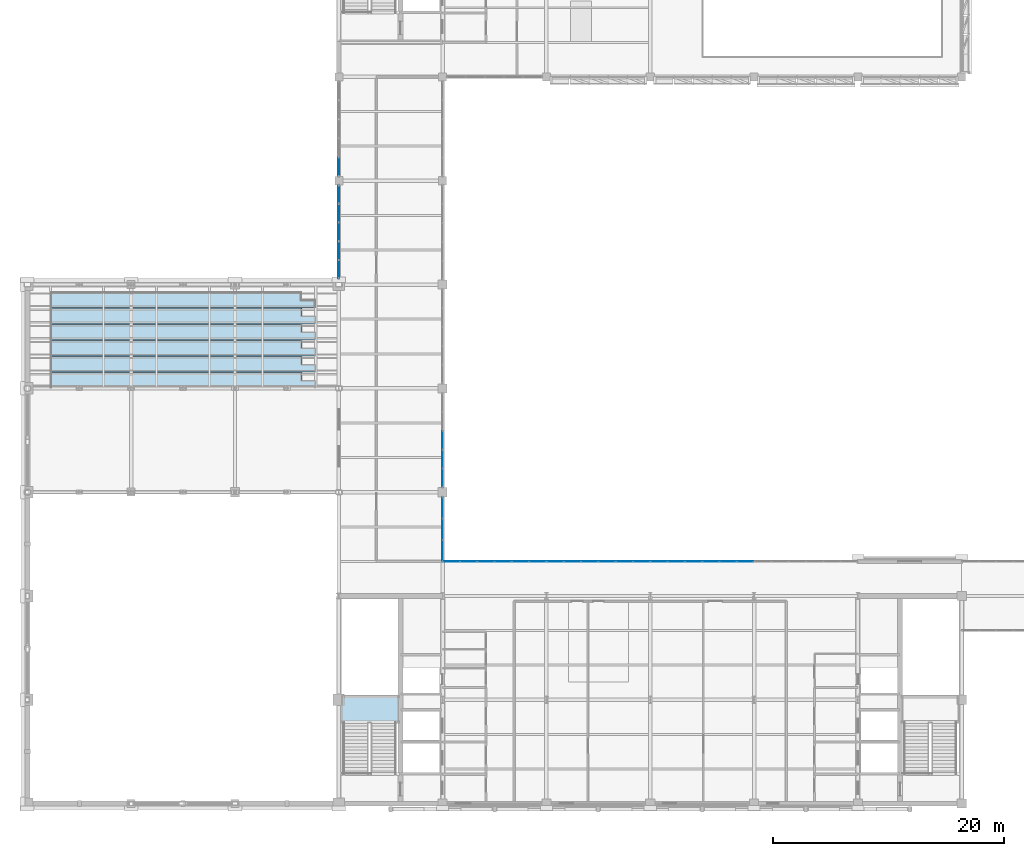
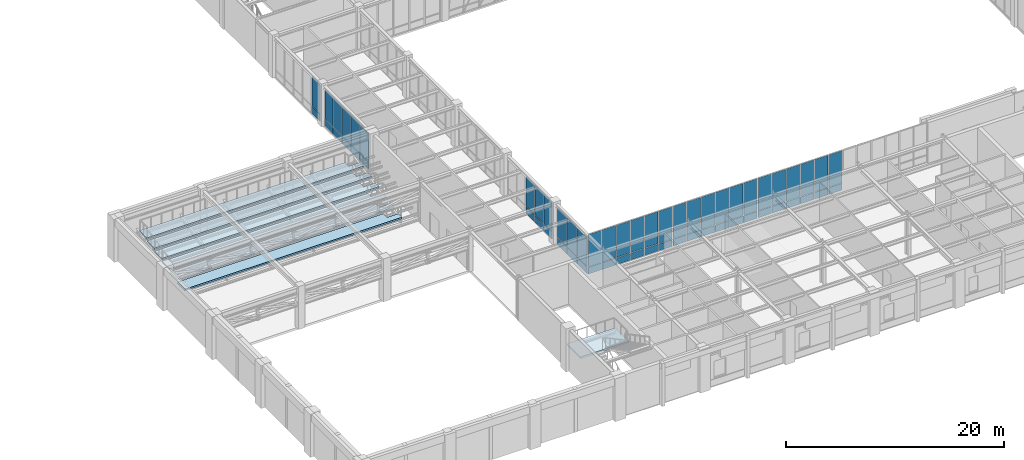
# One storey, part 68 of 92: 60 plates, 7 slabs, 8 elements without a shape of their own.
"""IFC4 building model written with IfcOpenShell, lengths in metres."""

import ifcopenshell
import ifcopenshell.guid

model = None  # the IFC model being written
_history = None  # IfcOwnerHistory: only IFC2X3 demands one
_inside = {}  # id of a spatial element -> (the spatial element, [elements in it])
_under = {}  # id of a project, library or spatial element -> (it, [spatial elements below it])
_declared = {}  # id of a project -> (the project, [libraries it declares])
_typed = {}  # id of a type object -> (the type object, [elements of that type])
_made_of = {}  # id of a material, layer set ... -> (it, [elements and type objects made of it])


def new_model(schema):
    """Start an empty IFC model of exactly this schema.

    Asked for "IFC4X3", IfcOpenShell would pick the latest addendum, in which some entities
    have other attributes; the version numbers below select the first issue.
    IFC2X3 requires an IfcOwnerHistory on every rooted entity: one is made here for all.
    """
    global model, _history
    if schema == "IFC4X3":
        model = ifcopenshell.file(schema_version=(4, 3, 0, 0))
    else:
        model = ifcopenshell.file(schema=schema)
    _inside.clear()
    _under.clear()
    _declared.clear()
    _typed.clear()
    _made_of.clear()
    _history = None
    if model.schema == "IFC2X3":
        org = make("IfcOrganization", Name="unknown")
        user = make(
            "IfcPersonAndOrganization",
            ThePerson=make("IfcPerson", FamilyName="unknown"),
            TheOrganization=org,
        )
        app = make(
            "IfcApplication",
            ApplicationDeveloper=org,
            Version="unknown",
            ApplicationFullName="unknown",
            ApplicationIdentifier="unknown",
        )
        _history = make(
            "IfcOwnerHistory",
            OwningUser=user,
            OwningApplication=app,
            ChangeAction="ADDED",
            CreationDate=0,
        )
    return model


def make(cls, **values):
    """One entity of the class cls with the attributes given. An attribute that is None is left unset."""
    return model.create_entity(
        cls, **{name: value for name, value in values.items() if value is not None}
    )


def rooted(cls, **values):
    """An entity with a GlobalId (a new one), such as an element, a storey or a relation."""
    return make(cls, GlobalId=ifcopenshell.guid.new(), OwnerHistory=_history, **values)


def si_unit(unit_type, name, prefix=None):
    """IfcSIUnit, for example si_unit("LENGTHUNIT", "METRE", prefix="MILLI")."""
    return make("IfcSIUnit", UnitType=unit_type, Prefix=prefix, Name=name)


def assignment(units):
    """IfcUnitAssignment: the units of a project."""
    return None if units is None else make("IfcUnitAssignment", Units=units)


def point(xyz):
    """IfcCartesianPoint."""
    return None if xyz is None else make("IfcCartesianPoint", Coordinates=xyz)


def direction(xyz):
    """IfcDirection."""
    return None if xyz is None else make("IfcDirection", DirectionRatios=xyz)


def frame(location, z_axis=None, x_axis=None):
    """IfcAxis2Placement3D, a coordinate frame: its origin and axes. An axis left out is left unset."""
    return make(
        "IfcAxis2Placement3D",
        Location=point(location),
        Axis=direction(z_axis),
        RefDirection=direction(x_axis),
    )


def frame_2d(location, x_axis=None):
    """IfcAxis2Placement2D, a coordinate frame in the plane: its origin and x axis."""
    return make(
        "IfcAxis2Placement2D", Location=point(location), RefDirection=direction(x_axis)
    )


def origin():
    """The frame at (0, 0, 0) with its axes left unset."""
    return frame((0.0, 0.0, 0.0))


def origin_2d():
    """The frame at (0, 0) in the plane with its x axis left unset."""
    return frame_2d((0.0, 0.0))


def place(relative_to, where):
    """IfcLocalPlacement: puts the frame where relative to a parent placement (None: the world)."""
    return make(
        "IfcLocalPlacement", PlacementRelTo=relative_to, RelativePlacement=where
    )


def context(
    kind, dimensions, precision=None, world=None, true_north=None, identifier=None
):
    """IfcGeometricRepresentationContext, for example the 3D "Model" context."""
    return make(
        "IfcGeometricRepresentationContext",
        ContextIdentifier=identifier,
        ContextType=kind,
        CoordinateSpaceDimension=dimensions,
        Precision=precision,
        WorldCoordinateSystem=world,
        TrueNorth=true_north,
    )


def subcontext(parent, identifier, kind, view, scale=None):
    """IfcGeometricRepresentationSubContext, for example "Body" below "Model"."""
    return make(
        "IfcGeometricRepresentationSubContext",
        ContextIdentifier=identifier,
        ContextType=kind,
        ParentContext=parent,
        TargetScale=scale,
        TargetView=view,
    )


def project(units=None, contexts=None):
    """IfcProject with its units and contexts."""
    return rooted(
        "IfcProject",
        Name="project",
        RepresentationContexts=contexts,
        UnitsInContext=assignment(units),
    )


def spatial(cls, under=None, at=None, **own):
    """A site, building, storey or space (cls), placed at a placement, below another one or the project."""
    s = rooted(cls, ObjectPlacement=at, **own)
    if under is not None:
        _under.setdefault(under.id(), (under, []))[1].append(s)
    return s


def polyline(points):
    """IfcPolyline through the points."""
    return make("IfcPolyline", Points=[point(p) for p in points])


def profile(cls, at=None, kind="AREA", **sizes):
    """A parametric profile (cls). Its sizes go by their IFC names, for example OverallWidth=200.0."""
    return make(cls, ProfileType=kind, Position=at, **sizes)


def rectangle(**sizes):
    """IfcRectangleProfileDef."""
    return profile("IfcRectangleProfileDef", **sizes)


def outline(outer, holes=None, kind="AREA"):
    """IfcArbitraryClosedProfileDef: a profile drawn as a closed curve; with holes, ...WithVoids."""
    if holes is None:
        return make("IfcArbitraryClosedProfileDef", ProfileType=kind, OuterCurve=outer)
    return make(
        "IfcArbitraryProfileDefWithVoids",
        ProfileType=kind,
        OuterCurve=outer,
        InnerCurves=holes,
    )


def extrude(swept, where, along, depth):
    """IfcExtrudedAreaSolid: the profile swept, set in the frame where, extruded along a direction by depth."""
    return make(
        "IfcExtrudedAreaSolid",
        SweptArea=swept,
        Position=where,
        ExtrudedDirection=direction(along),
        Depth=depth,
    )


def shape(context_of_items, identifier, shape_type, items):
    """IfcShapeRepresentation: the items that make up one representation, for example the "Body"."""
    return make(
        "IfcShapeRepresentation",
        ContextOfItems=context_of_items,
        RepresentationIdentifier=identifier,
        RepresentationType=shape_type,
        Items=items,
    )


def material(Name=None, Category=None):
    """IfcMaterial."""
    return make("IfcMaterial", Name=Name, Category=Category)


def layer(
    of_material, thickness, ventilated=None, Name=None, Category=None, Priority=None
):
    """IfcMaterialLayer: one layer of a wall or slab, of a material (None: an air gap)."""
    return make(
        "IfcMaterialLayer",
        Material=of_material,
        LayerThickness=thickness,
        IsVentilated=ventilated,
        Name=Name,
        Category=Category,
        Priority=Priority,
    )


def layer_set(layers, Name=None):
    """IfcMaterialLayerSet."""
    return make("IfcMaterialLayerSet", MaterialLayers=layers, LayerSetName=Name)


def made_of(thing, what):
    """Note that an element or type object is made of a material, layer set ...; save() writes the relation."""
    if what is not None:
        _made_of.setdefault(what.id(), (what, []))[1].append(thing)
    return thing


def type_object(cls, material=None, **own):
    """A type object (cls), such as IfcWallType, which elements share."""
    return made_of(rooted(cls, **own), material)


def element(
    cls,
    number,
    at=None,
    inside=None,
    cuts=None,
    type_object=None,
    material=None,
    context=None,
    identifier="Body",
    shape_type=None,
    held_by="IfcProductDefinitionShape",
    body=None,
    shapes=None,
    **own,
):
    """One element of the class cls, such as IfcWall. Its Tag is "e" and its number.

    at: its placement. inside: the storey or other place that contains it. cuts: it is an
    opening in that element (IfcRelVoidsElement). A single representation is given by context,
    identifier, shape_type and body (its items); several are given by shapes. held_by: the class
    of the entity that holds the representations. save() writes the other relations.
    """
    e = rooted(cls, Tag="e%d" % number, ObjectPlacement=at, **own)
    if body is not None:
        shapes = [shape(context, identifier, shape_type, body)]
    if shapes is not None:
        e.Representation = make(held_by, Representations=shapes)
    if inside is not None:
        _inside.setdefault(inside.id(), (inside, []))[1].append(e)
    if cuts is not None:
        rooted(
            "IfcRelVoidsElement", RelatingBuildingElement=cuts, RelatedOpeningElement=e
        )
    if type_object is not None:
        _typed.setdefault(type_object.id(), (type_object, []))[1].append(e)
    return made_of(e, material)


def aggregate(whole, parts):
    """IfcRelAggregates: a whole, such as a stair, and the parts it consists of."""
    return rooted("IfcRelAggregates", RelatingObject=whole, RelatedObjects=parts)


def save(model, path):
    """Write the relations noted so far, then the file.

    IfcRelAggregates (storeys below a building ...), IfcRelContainedInSpatialStructure (elements
    in a storey), IfcRelDefinesByType, IfcRelAssociatesMaterial and IfcRelDeclares: one each for
    every whole, place, type object, material and project.
    """
    for whole, parts in _under.values():
        aggregate(whole, parts)
    for where, things in _inside.values():
        rooted(
            "IfcRelContainedInSpatialStructure",
            RelatedElements=things,
            RelatingStructure=where,
        )
    for kind, things in _typed.values():
        rooted("IfcRelDefinesByType", RelatedObjects=things, RelatingType=kind)
    for what, things in _made_of.values():
        rooted("IfcRelAssociatesMaterial", RelatedObjects=things, RelatingMaterial=what)
    for by, libraries in _declared.values():
        rooted("IfcRelDeclares", RelatingContext=by, RelatedDefinitions=libraries)
    model.write(path)


model = new_model("IFC4")

# Units and contexts
model_context = context("Model", 3, precision=1e-05, world=origin(), true_north=direction((0.0, 1.0)))
body_context = subcontext(model_context, "Body", "Model", "MODEL_VIEW")
ifc_project = project(units=[si_unit("LENGTHUNIT", "METRE"), si_unit("AREAUNIT", "SQUARE_METRE"), si_unit("VOLUMEUNIT", "CUBIC_METRE"), si_unit("PLANEANGLEUNIT", "RADIAN"), si_unit("MASSUNIT", "GRAM", prefix="KILO")], contexts=[model_context])

# Site, building, storey
site_placement = place(None, origin())
site = spatial("IfcSite", under=ifc_project, at=site_placement, CompositionType="ELEMENT")
building_placement = place(site_placement, origin())
building = spatial("IfcBuilding", under=site, at=building_placement, Name="Lykobir Media Centre", CompositionType="ELEMENT")
storey_placement = place(building_placement, frame((0.0, 0.0, 5.39990234375)))
storey = spatial("IfcBuildingStorey", under=building, at=storey_placement, Name="L01", CompositionType="ELEMENT", Elevation=5.39990234375)

# Curtain wall, plates
ifc_material_1 = material(Name="Anodized Aluminium AW-6060", Category="aluminium")
curtain_wall_type = type_object("IfcCurtainWallType", Name="CW-COURT-A", PredefinedType="NOTDEFINED", material=ifc_material_1)
curtain_wall_1_placement = place(storey_placement, origin())
curtain_wall_1 = element("IfcCurtainWall", 1, at=curtain_wall_1_placement, inside=storey, type_object=curtain_wall_type, Name="Curtain wall CW2-L01-0044", PredefinedType="NOTDEFINED")
ifc_material_2 = material(Name="Low-E Laminated Triple Glazing", Category="glass")
ifc_layer_1 = layer(ifc_material_2, 0.0380859375, Name="Low-E Laminated Triple Glazing")
ifc_layer_set_1 = layer_set([ifc_layer_1], Name="Low-E Laminated Triple Glazing")
plate_type_1 = type_object("IfcPlateType", Name="CWP-GLZ-38", PredefinedType="CURTAIN_PANEL", material=ifc_layer_set_1)
plate_1_placement = place(storey_placement, frame((36.76611328125, 21.0, 0.882568359375), z_axis=(0.0, 0.0, 1.0), x_axis=(1.0, 0.0, 0.0)))
plate_1 = element("IfcPlate", 2, at=plate_1_placement, type_object=plate_type_1, Name="CW2-L01-0044 panel 1.2", PredefinedType="CURTAIN_PANEL", context=body_context, shape_type="SweptSolid", body=[
    extrude(rectangle(XDim=1.402587890625, YDim=0.0380859375, at=origin_2d()), origin(), (0.0, 0.0, 1.0), 3.592529296875),
])
plate_2_placement = place(storey_placement, frame((38.25, 21.0, 0.882568359375), z_axis=(0.0, 0.0, 1.0), x_axis=(1.0, 0.0, 0.0)))
plate_2 = element("IfcPlate", 3, at=plate_2_placement, type_object=plate_type_1, Name="CW2-L01-0044 panel 2.2", PredefinedType="CURTAIN_PANEL", context=body_context, shape_type="SweptSolid", body=[
    extrude(rectangle(XDim=1.43505859375, YDim=0.0380859375, at=origin_2d()), origin(), (0.0, 0.0, 1.0), 3.592529296875),
])
plate_3_placement = place(storey_placement, frame((39.75, 21.0, 0.882568359375), z_axis=(0.0, 0.0, 1.0), x_axis=(1.0, 0.0, 0.0)))
plate_3 = element("IfcPlate", 4, at=plate_3_placement, type_object=plate_type_1, Name="CW2-L01-0044 panel 3.2", PredefinedType="CURTAIN_PANEL", context=body_context, shape_type="SweptSolid", body=[
    extrude(rectangle(XDim=1.43505859375, YDim=0.0380859375, at=origin_2d()), origin(), (0.0, 0.0, 1.0), 3.592529296875),
])
plate_4_placement = place(storey_placement, frame((41.25, 21.0, 0.882568359375), z_axis=(0.0, 0.0, 1.0), x_axis=(1.0, 0.0, 0.0)))
plate_4 = element("IfcPlate", 5, at=plate_4_placement, type_object=plate_type_1, Name="CW2-L01-0044 panel 4.2", PredefinedType="CURTAIN_PANEL", context=body_context, shape_type="SweptSolid", body=[
    extrude(rectangle(XDim=1.43505859375, YDim=0.0380859375, at=origin_2d()), origin(), (0.0, 0.0, 1.0), 3.592529296875),
])
plate_5_placement = place(storey_placement, frame((42.75, 21.0, 0.882568359375), z_axis=(0.0, 0.0, 1.0), x_axis=(1.0, 0.0, 0.0)))
plate_5 = element("IfcPlate", 6, at=plate_5_placement, type_object=plate_type_1, Name="CW2-L01-0044 panel 5.2", PredefinedType="CURTAIN_PANEL", context=body_context, shape_type="SweptSolid", body=[
    extrude(rectangle(XDim=1.43505859375, YDim=0.0380859375, at=origin_2d()), origin(), (0.0, 0.0, 1.0), 3.592529296875),
])
plate_6_placement = place(storey_placement, frame((44.23388671875, 21.0, 0.882568359375), z_axis=(0.0, 0.0, 1.0), x_axis=(1.0, 0.0, 0.0)))
plate_6 = element("IfcPlate", 7, at=plate_6_placement, type_object=plate_type_1, Name="CW2-L01-0044 panel 6.2", PredefinedType="CURTAIN_PANEL", context=body_context, shape_type="SweptSolid", body=[
    extrude(rectangle(XDim=1.402587890625, YDim=0.0380859375, at=origin_2d()), origin(), (0.0, 0.0, 1.0), 3.592529296875),
])

curtain_wall_2_placement = place(storey_placement, origin())
curtain_wall_2 = element("IfcCurtainWall", 8, at=curtain_wall_2_placement, inside=storey, type_object=curtain_wall_type, Name="Curtain wall CW2-L01-0045", PredefinedType="NOTDEFINED")
plate_7_placement = place(storey_placement, frame((45.76611328125, 21.0, 0.882568359375), z_axis=(0.0, 0.0, 1.0), x_axis=(1.0, 0.0, 0.0)))
plate_7 = element("IfcPlate", 9, at=plate_7_placement, type_object=plate_type_1, Name="CW2-L01-0045 panel 1.2", PredefinedType="CURTAIN_PANEL", context=body_context, shape_type="SweptSolid", body=[
    extrude(rectangle(XDim=1.402587890625, YDim=0.0380859375, at=origin_2d()), origin(), (0.0, 0.0, 1.0), 3.592529296875),
])
plate_8_placement = place(storey_placement, frame((47.25, 21.0, 0.882568359375), z_axis=(0.0, 0.0, 1.0), x_axis=(1.0, 0.0, 0.0)))
plate_8 = element("IfcPlate", 10, at=plate_8_placement, type_object=plate_type_1, Name="CW2-L01-0045 panel 2.2", PredefinedType="CURTAIN_PANEL", context=body_context, shape_type="SweptSolid", body=[
    extrude(rectangle(XDim=1.43505859375, YDim=0.0380859375, at=origin_2d()), origin(), (0.0, 0.0, 1.0), 3.592529296875),
])
plate_9_placement = place(storey_placement, frame((48.75, 21.0, 0.882568359375), z_axis=(0.0, 0.0, 1.0), x_axis=(1.0, 0.0, 0.0)))
plate_9 = element("IfcPlate", 11, at=plate_9_placement, type_object=plate_type_1, Name="CW2-L01-0045 panel 3.2", PredefinedType="CURTAIN_PANEL", context=body_context, shape_type="SweptSolid", body=[
    extrude(rectangle(XDim=1.43505859375, YDim=0.0380859375, at=origin_2d()), origin(), (0.0, 0.0, 1.0), 3.592529296875),
])
plate_10_placement = place(storey_placement, frame((50.25, 21.0, 0.882568359375), z_axis=(0.0, 0.0, 1.0), x_axis=(1.0, 0.0, 0.0)))
plate_10 = element("IfcPlate", 12, at=plate_10_placement, type_object=plate_type_1, Name="CW2-L01-0045 panel 4.2", PredefinedType="CURTAIN_PANEL", context=body_context, shape_type="SweptSolid", body=[
    extrude(rectangle(XDim=1.43505859375, YDim=0.0380859375, at=origin_2d()), origin(), (0.0, 0.0, 1.0), 3.592529296875),
])
plate_11_placement = place(storey_placement, frame((51.75, 21.0, 0.882568359375), z_axis=(0.0, 0.0, 1.0), x_axis=(1.0, 0.0, 0.0)))
plate_11 = element("IfcPlate", 13, at=plate_11_placement, type_object=plate_type_1, Name="CW2-L01-0045 panel 5.2", PredefinedType="CURTAIN_PANEL", context=body_context, shape_type="SweptSolid", body=[
    extrude(rectangle(XDim=1.43505859375, YDim=0.0380859375, at=origin_2d()), origin(), (0.0, 0.0, 1.0), 3.592529296875),
])
plate_12_placement = place(storey_placement, frame((53.23388671875, 21.0, 0.882568359375), z_axis=(0.0, 0.0, 1.0), x_axis=(1.0, 0.0, 0.0)))
plate_12 = element("IfcPlate", 14, at=plate_12_placement, type_object=plate_type_1, Name="CW2-L01-0045 panel 6.2", PredefinedType="CURTAIN_PANEL", context=body_context, shape_type="SweptSolid", body=[
    extrude(rectangle(XDim=1.402587890625, YDim=0.0380859375, at=origin_2d()), origin(), (0.0, 0.0, 1.0), 3.592529296875),
])

curtain_wall_3_placement = place(storey_placement, origin())
curtain_wall_3 = element("IfcCurtainWall", 15, at=curtain_wall_3_placement, inside=storey, type_object=curtain_wall_type, Name="Curtain wall CW2-L01-0046", PredefinedType="NOTDEFINED")
plate_13_placement = place(storey_placement, frame((54.76611328125, 21.0, 0.882568359375), z_axis=(0.0, 0.0, 1.0), x_axis=(1.0, 0.0, 0.0)))
plate_13 = element("IfcPlate", 16, at=plate_13_placement, type_object=plate_type_1, Name="CW2-L01-0046 panel 1.2", PredefinedType="CURTAIN_PANEL", context=body_context, shape_type="SweptSolid", body=[
    extrude(rectangle(XDim=1.402587890625, YDim=0.0380859375, at=origin_2d()), origin(), (0.0, 0.0, 1.0), 3.592529296875),
])
plate_14_placement = place(storey_placement, frame((56.25, 21.0, 0.882568359375), z_axis=(0.0, 0.0, 1.0), x_axis=(1.0, 0.0, 0.0)))
plate_14 = element("IfcPlate", 17, at=plate_14_placement, type_object=plate_type_1, Name="CW2-L01-0046 panel 2.2", PredefinedType="CURTAIN_PANEL", context=body_context, shape_type="SweptSolid", body=[
    extrude(rectangle(XDim=1.43505859375, YDim=0.0380859375, at=origin_2d()), origin(), (0.0, 0.0, 1.0), 3.592529296875),
])
plate_15_placement = place(storey_placement, frame((57.75, 21.0, 0.882568359375), z_axis=(0.0, 0.0, 1.0), x_axis=(1.0, 0.0, 0.0)))
plate_15 = element("IfcPlate", 18, at=plate_15_placement, type_object=plate_type_1, Name="CW2-L01-0046 panel 3.2", PredefinedType="CURTAIN_PANEL", context=body_context, shape_type="SweptSolid", body=[
    extrude(rectangle(XDim=1.43505859375, YDim=0.0380859375, at=origin_2d()), origin(), (0.0, 0.0, 1.0), 3.592529296875),
])
plate_16_placement = place(storey_placement, frame((59.25, 21.0, 0.882568359375), z_axis=(0.0, 0.0, 1.0), x_axis=(1.0, 0.0, 0.0)))
plate_16 = element("IfcPlate", 19, at=plate_16_placement, type_object=plate_type_1, Name="CW2-L01-0046 panel 4.2", PredefinedType="CURTAIN_PANEL", context=body_context, shape_type="SweptSolid", body=[
    extrude(rectangle(XDim=1.43505859375, YDim=0.0380859375, at=origin_2d()), origin(), (0.0, 0.0, 1.0), 3.592529296875),
])
plate_17_placement = place(storey_placement, frame((60.75, 21.0, 0.882568359375), z_axis=(0.0, 0.0, 1.0), x_axis=(1.0, 0.0, 0.0)))
plate_17 = element("IfcPlate", 20, at=plate_17_placement, type_object=plate_type_1, Name="CW2-L01-0046 panel 5.2", PredefinedType="CURTAIN_PANEL", context=body_context, shape_type="SweptSolid", body=[
    extrude(rectangle(XDim=1.43505859375, YDim=0.0380859375, at=origin_2d()), origin(), (0.0, 0.0, 1.0), 3.592529296875),
])
plate_18_placement = place(storey_placement, frame((62.23388671875, 21.0, 0.882568359375), z_axis=(0.0, 0.0, 1.0), x_axis=(1.0, 0.0, 0.0)))
plate_18 = element("IfcPlate", 21, at=plate_18_placement, type_object=plate_type_1, Name="CW2-L01-0046 panel 6.2", PredefinedType="CURTAIN_PANEL", context=body_context, shape_type="SweptSolid", body=[
    extrude(rectangle(XDim=1.402587890625, YDim=0.0380859375, at=origin_2d()), origin(), (0.0, 0.0, 1.0), 3.592529296875),
])

curtain_wall_4_placement = place(storey_placement, origin())
curtain_wall_4 = element("IfcCurtainWall", 22, at=curtain_wall_4_placement, inside=storey, type_object=curtain_wall_type, Name="Curtain wall CW2-L01-0048", PredefinedType="NOTDEFINED")
plate_19_placement = place(storey_placement, frame((36.0, 25.646240234375, 0.882568359375), z_axis=(0.0, 0.0, 1.0), x_axis=(0.0, -1.0, 0.0)))
plate_19 = element("IfcPlate", 23, at=plate_19_placement, type_object=plate_type_1, Name="CW2-L01-0048 panel 1.2", PredefinedType="CURTAIN_PANEL", context=body_context, shape_type="SweptSolid", body=[
    extrude(rectangle(XDim=1.767578125, YDim=0.0380859375, at=origin_2d()), origin(), (0.0, 0.0, 1.0), 3.24755859375),
])
plate_20_placement = place(storey_placement, frame((36.0, 23.797607421875, 0.882568359375), z_axis=(0.0, 0.0, 1.0), x_axis=(0.0, -1.0, 0.0)))
plate_20 = element("IfcPlate", 24, at=plate_20_placement, type_object=plate_type_1, Name="CW2-L01-0048 panel 2.2", PredefinedType="CURTAIN_PANEL", context=body_context, shape_type="SweptSolid", body=[
    extrude(rectangle(XDim=1.800048828125, YDim=0.0380859375, at=origin_2d()), origin(), (0.0, 0.0, 1.0), 3.24755859375),
])
plate_21_placement = place(storey_placement, frame((36.0, 21.94873046875, 0.882568359375), z_axis=(0.0, 0.0, 1.0), x_axis=(0.0, -1.0, 0.0)))
plate_21 = element("IfcPlate", 25, at=plate_21_placement, type_object=plate_type_1, Name="CW2-L01-0048 panel 3.2", PredefinedType="CURTAIN_PANEL", context=body_context, shape_type="SweptSolid", body=[
    extrude(rectangle(XDim=1.767578125, YDim=0.0380859375, at=origin_2d()), origin(), (0.0, 0.0, 1.0), 3.24755859375),
])

curtain_wall_5_placement = place(storey_placement, origin())
curtain_wall_5 = element("IfcCurtainWall", 26, at=curtain_wall_5_placement, inside=storey, type_object=curtain_wall_type, Name="Curtain wall CW2-L01-0049", PredefinedType="NOTDEFINED")
plate_22_placement = place(storey_placement, frame((36.0, 31.5, 0.882568359375), z_axis=(0.0, 0.0, 1.0), x_axis=(0.0, -1.0, 0.0)))
plate_22 = element("IfcPlate", 27, at=plate_22_placement, type_object=plate_type_1, Name="CW2-L01-0049 panel 3.2", PredefinedType="CURTAIN_PANEL", context=body_context, shape_type="SweptSolid", body=[
    extrude(rectangle(XDim=1.572998046875, YDim=0.0380859375, at=origin_2d()), origin(), (0.0, 0.0, 1.0), 3.24755859375),
])
plate_23_placement = place(storey_placement, frame((36.0, 29.862060546875, 0.882568359375), z_axis=(0.0, 0.0, 1.0), x_axis=(0.0, -1.0, 0.0)))
plate_23 = element("IfcPlate", 28, at=plate_23_placement, type_object=plate_type_1, Name="CW2-L01-0049 panel 4.2", PredefinedType="CURTAIN_PANEL", context=body_context, shape_type="SweptSolid", body=[
    extrude(rectangle(XDim=1.572998046875, YDim=0.0380859375, at=origin_2d()), origin(), (0.0, 0.0, 1.0), 3.24755859375),
])
plate_24_placement = place(storey_placement, frame((36.0, 28.240234375, 0.882568359375), z_axis=(0.0, 0.0, 1.0), x_axis=(0.0, -1.0, 0.0)))
plate_24 = element("IfcPlate", 29, at=plate_24_placement, type_object=plate_type_1, Name="CW2-L01-0049 panel 5.2", PredefinedType="CURTAIN_PANEL", context=body_context, shape_type="SweptSolid", body=[
    extrude(rectangle(XDim=1.54052734375, YDim=0.0380859375, at=origin_2d()), origin(), (0.0, 0.0, 1.0), 3.24755859375),
])

curtain_wall_6_placement = place(storey_placement, origin())
curtain_wall_6 = element("IfcCurtainWall", 30, at=curtain_wall_6_placement, inside=storey, type_object=curtain_wall_type, Name="Curtain wall CW2-L01-0068", PredefinedType="NOTDEFINED")
plate_25_placement = place(storey_placement, frame((27.0, 46.335205078125, 0.882568359375), z_axis=(0.0, 0.0, 1.0), x_axis=(0.0, 1.0, 0.0)))
plate_25 = element("IfcPlate", 31, at=plate_25_placement, type_object=plate_type_1, Name="CW2-L01-0068 panel 1.2", PredefinedType="CURTAIN_PANEL", context=body_context, shape_type="SweptSolid", body=[
    extrude(rectangle(XDim=1.530517578125, YDim=0.0380859375, at=origin_2d()), origin(), (0.0, 0.0, 1.0), 3.235595703125),
])
plate_26_placement = place(storey_placement, frame((27.0, 47.947021484375, 0.882568359375), z_axis=(0.0, 0.0, 1.0), x_axis=(0.0, 1.0, 0.0)))
plate_26 = element("IfcPlate", 32, at=plate_26_placement, type_object=plate_type_1, Name="CW2-L01-0068 panel 2.2", PredefinedType="CURTAIN_PANEL", context=body_context, shape_type="SweptSolid", body=[
    extrude(rectangle(XDim=1.56298828125, YDim=0.0380859375, at=origin_2d()), origin(), (0.0, 0.0, 1.0), 3.235595703125),
])
plate_27_placement = place(storey_placement, frame((27.0, 49.574951171875, 0.882568359375), z_axis=(0.0, 0.0, 1.0), x_axis=(0.0, 1.0, 0.0)))
plate_27 = element("IfcPlate", 33, at=plate_27_placement, type_object=plate_type_1, Name="CW2-L01-0068 panel 3.2", PredefinedType="CURTAIN_PANEL", context=body_context, shape_type="SweptSolid", body=[
    extrude(rectangle(XDim=1.56298828125, YDim=0.0380859375, at=origin_2d()), origin(), (0.0, 0.0, 1.0), 3.235595703125),
])
plate_28_placement = place(storey_placement, frame((27.0, 51.202880859375, 0.882568359375), z_axis=(0.0, 0.0, 1.0), x_axis=(0.0, 1.0, 0.0)))
plate_28 = element("IfcPlate", 34, at=plate_28_placement, type_object=plate_type_1, Name="CW2-L01-0068 panel 4.2", PredefinedType="CURTAIN_PANEL", context=body_context, shape_type="SweptSolid", body=[
    extrude(rectangle(XDim=1.56298828125, YDim=0.0380859375, at=origin_2d()), origin(), (0.0, 0.0, 1.0), 3.235595703125),
])
plate_29_placement = place(storey_placement, frame((27.0, 52.814697265625, 0.882568359375), z_axis=(0.0, 0.0, 1.0), x_axis=(0.0, 1.0, 0.0)))
plate_29 = element("IfcPlate", 35, at=plate_29_placement, type_object=plate_type_1, Name="CW2-L01-0068 panel 5.2", PredefinedType="CURTAIN_PANEL", context=body_context, shape_type="SweptSolid", body=[
    extrude(rectangle(XDim=1.530517578125, YDim=0.0380859375, at=origin_2d()), origin(), (0.0, 0.0, 1.0), 3.235595703125),
])

# Curtain wall, plate
curtain_wall_7_placement = place(storey_placement, origin())
curtain_wall_7 = element("IfcCurtainWall", 36, at=curtain_wall_7_placement, inside=storey, type_object=curtain_wall_type, Name="Curtain wall CW2-L01-0069", PredefinedType="NOTDEFINED")
plate_30_placement = place(storey_placement, frame((27.0, 55.2001953125, 0.882568359375), z_axis=(0.0, 0.0, 1.0), x_axis=(0.0, 1.0, 0.0)))
plate_30 = element("IfcPlate", 37, at=plate_30_placement, type_object=plate_type_1, Name="CW2-L01-0069 panel 1.2", PredefinedType="CURTAIN_PANEL", context=body_context, shape_type="SweptSolid", body=[
    extrude(rectangle(XDim=1.560546875, YDim=0.0380859375, at=origin_2d()), origin(), (0.0, 0.0, 1.0), 3.24755859375),
])

# Plate
ifc_material_3 = material(Name="Glazed Turquoise Terracotta", Category="masonry")
ifc_layer_2 = layer(ifc_material_3, 0.06005859375, Name="Glazed Turquoise Terracotta")
ifc_layer_set_2 = layer_set([ifc_layer_2], Name="Glazed Turquoise Terracotta")
plate_type_2 = type_object("IfcPlateType", Name="CWP-SPN-60", PredefinedType="CURTAIN_PANEL", material=ifc_layer_set_2)
plate_31_placement = place(storey_placement, frame((36.76611328125, 21.0, 0.065185546875), z_axis=(0.0, 0.0, 1.0), x_axis=(1.0, 0.0, 0.0)))
plate_31 = element("IfcPlate", 38, at=plate_31_placement, type_object=plate_type_2, Name="CW2-L01-0044 panel 1.1", PredefinedType="CURTAIN_PANEL", context=body_context, shape_type="SweptSolid", body=[
    extrude(rectangle(XDim=1.402587890625, YDim=0.06005859375, at=origin_2d()), origin(), (0.0, 0.0, 1.0), 0.75244140625),
])

plate_32_placement = place(storey_placement, frame((38.25, 21.0, 0.065185546875), z_axis=(0.0, 0.0, 1.0), x_axis=(1.0, 0.0, 0.0)))
plate_32 = element("IfcPlate", 39, at=plate_32_placement, type_object=plate_type_2, Name="CW2-L01-0044 panel 2.1", PredefinedType="CURTAIN_PANEL", context=body_context, shape_type="SweptSolid", body=[
    extrude(rectangle(XDim=1.43505859375, YDim=0.06005859375, at=origin_2d()), origin(), (0.0, 0.0, 1.0), 0.75244140625),
])

plate_33_placement = place(storey_placement, frame((39.75, 21.0, 0.065185546875), z_axis=(0.0, 0.0, 1.0), x_axis=(1.0, 0.0, 0.0)))
plate_33 = element("IfcPlate", 40, at=plate_33_placement, type_object=plate_type_2, Name="CW2-L01-0044 panel 3.1", PredefinedType="CURTAIN_PANEL", context=body_context, shape_type="SweptSolid", body=[
    extrude(rectangle(XDim=1.43505859375, YDim=0.06005859375, at=origin_2d()), origin(), (0.0, 0.0, 1.0), 0.75244140625),
])

plate_34_placement = place(storey_placement, frame((41.25, 21.0, 0.065185546875), z_axis=(0.0, 0.0, 1.0), x_axis=(1.0, 0.0, 0.0)))
plate_34 = element("IfcPlate", 41, at=plate_34_placement, type_object=plate_type_2, Name="CW2-L01-0044 panel 4.1", PredefinedType="CURTAIN_PANEL", context=body_context, shape_type="SweptSolid", body=[
    extrude(rectangle(XDim=1.43505859375, YDim=0.06005859375, at=origin_2d()), origin(), (0.0, 0.0, 1.0), 0.75244140625),
])

plate_35_placement = place(storey_placement, frame((42.75, 21.0, 0.065185546875), z_axis=(0.0, 0.0, 1.0), x_axis=(1.0, 0.0, 0.0)))
plate_35 = element("IfcPlate", 42, at=plate_35_placement, type_object=plate_type_2, Name="CW2-L01-0044 panel 5.1", PredefinedType="CURTAIN_PANEL", context=body_context, shape_type="SweptSolid", body=[
    extrude(rectangle(XDim=1.43505859375, YDim=0.06005859375, at=origin_2d()), origin(), (0.0, 0.0, 1.0), 0.75244140625),
])

plate_36_placement = place(storey_placement, frame((44.23388671875, 21.0, 0.065185546875), z_axis=(0.0, 0.0, 1.0), x_axis=(1.0, 0.0, 0.0)))
plate_36 = element("IfcPlate", 43, at=plate_36_placement, type_object=plate_type_2, Name="CW2-L01-0044 panel 6.1", PredefinedType="CURTAIN_PANEL", context=body_context, shape_type="SweptSolid", body=[
    extrude(rectangle(XDim=1.402587890625, YDim=0.06005859375, at=origin_2d()), origin(), (0.0, 0.0, 1.0), 0.75244140625),
])

aggregate(curtain_wall_1, [plate_31, plate_1, plate_32, plate_2, plate_33, plate_3, plate_34, plate_4, plate_35, plate_5, plate_36, plate_6])

plate_37_placement = place(storey_placement, frame((45.76611328125, 21.0, 0.065185546875), z_axis=(0.0, 0.0, 1.0), x_axis=(1.0, 0.0, 0.0)))
plate_37 = element("IfcPlate", 44, at=plate_37_placement, type_object=plate_type_2, Name="CW2-L01-0045 panel 1.1", PredefinedType="CURTAIN_PANEL", context=body_context, shape_type="SweptSolid", body=[
    extrude(rectangle(XDim=1.402587890625, YDim=0.06005859375, at=origin_2d()), origin(), (0.0, 0.0, 1.0), 0.75244140625),
])

plate_38_placement = place(storey_placement, frame((47.25, 21.0, 0.065185546875), z_axis=(0.0, 0.0, 1.0), x_axis=(1.0, 0.0, 0.0)))
plate_38 = element("IfcPlate", 45, at=plate_38_placement, type_object=plate_type_2, Name="CW2-L01-0045 panel 2.1", PredefinedType="CURTAIN_PANEL", context=body_context, shape_type="SweptSolid", body=[
    extrude(rectangle(XDim=1.43505859375, YDim=0.06005859375, at=origin_2d()), origin(), (0.0, 0.0, 1.0), 0.75244140625),
])

plate_39_placement = place(storey_placement, frame((48.75, 21.0, 0.065185546875), z_axis=(0.0, 0.0, 1.0), x_axis=(1.0, 0.0, 0.0)))
plate_39 = element("IfcPlate", 46, at=plate_39_placement, type_object=plate_type_2, Name="CW2-L01-0045 panel 3.1", PredefinedType="CURTAIN_PANEL", context=body_context, shape_type="SweptSolid", body=[
    extrude(rectangle(XDim=1.43505859375, YDim=0.06005859375, at=origin_2d()), origin(), (0.0, 0.0, 1.0), 0.75244140625),
])

plate_40_placement = place(storey_placement, frame((50.25, 21.0, 0.065185546875), z_axis=(0.0, 0.0, 1.0), x_axis=(1.0, 0.0, 0.0)))
plate_40 = element("IfcPlate", 47, at=plate_40_placement, type_object=plate_type_2, Name="CW2-L01-0045 panel 4.1", PredefinedType="CURTAIN_PANEL", context=body_context, shape_type="SweptSolid", body=[
    extrude(rectangle(XDim=1.43505859375, YDim=0.06005859375, at=origin_2d()), origin(), (0.0, 0.0, 1.0), 0.75244140625),
])

plate_41_placement = place(storey_placement, frame((51.75, 21.0, 0.065185546875), z_axis=(0.0, 0.0, 1.0), x_axis=(1.0, 0.0, 0.0)))
plate_41 = element("IfcPlate", 48, at=plate_41_placement, type_object=plate_type_2, Name="CW2-L01-0045 panel 5.1", PredefinedType="CURTAIN_PANEL", context=body_context, shape_type="SweptSolid", body=[
    extrude(rectangle(XDim=1.43505859375, YDim=0.06005859375, at=origin_2d()), origin(), (0.0, 0.0, 1.0), 0.75244140625),
])

plate_42_placement = place(storey_placement, frame((53.23388671875, 21.0, 0.065185546875), z_axis=(0.0, 0.0, 1.0), x_axis=(1.0, 0.0, 0.0)))
plate_42 = element("IfcPlate", 49, at=plate_42_placement, type_object=plate_type_2, Name="CW2-L01-0045 panel 6.1", PredefinedType="CURTAIN_PANEL", context=body_context, shape_type="SweptSolid", body=[
    extrude(rectangle(XDim=1.402587890625, YDim=0.06005859375, at=origin_2d()), origin(), (0.0, 0.0, 1.0), 0.75244140625),
])

aggregate(curtain_wall_2, [plate_37, plate_7, plate_38, plate_8, plate_39, plate_9, plate_40, plate_10, plate_41, plate_11, plate_42, plate_12])

plate_43_placement = place(storey_placement, frame((54.76611328125, 21.0, 0.065185546875), z_axis=(0.0, 0.0, 1.0), x_axis=(1.0, 0.0, 0.0)))
plate_43 = element("IfcPlate", 50, at=plate_43_placement, type_object=plate_type_2, Name="CW2-L01-0046 panel 1.1", PredefinedType="CURTAIN_PANEL", context=body_context, shape_type="SweptSolid", body=[
    extrude(rectangle(XDim=1.402587890625, YDim=0.06005859375, at=origin_2d()), origin(), (0.0, 0.0, 1.0), 0.75244140625),
])

plate_44_placement = place(storey_placement, frame((56.25, 21.0, 0.065185546875), z_axis=(0.0, 0.0, 1.0), x_axis=(1.0, 0.0, 0.0)))
plate_44 = element("IfcPlate", 51, at=plate_44_placement, type_object=plate_type_2, Name="CW2-L01-0046 panel 2.1", PredefinedType="CURTAIN_PANEL", context=body_context, shape_type="SweptSolid", body=[
    extrude(rectangle(XDim=1.43505859375, YDim=0.06005859375, at=origin_2d()), origin(), (0.0, 0.0, 1.0), 0.75244140625),
])

plate_45_placement = place(storey_placement, frame((57.75, 21.0, 0.065185546875), z_axis=(0.0, 0.0, 1.0), x_axis=(1.0, 0.0, 0.0)))
plate_45 = element("IfcPlate", 52, at=plate_45_placement, type_object=plate_type_2, Name="CW2-L01-0046 panel 3.1", PredefinedType="CURTAIN_PANEL", context=body_context, shape_type="SweptSolid", body=[
    extrude(rectangle(XDim=1.43505859375, YDim=0.06005859375, at=origin_2d()), origin(), (0.0, 0.0, 1.0), 0.75244140625),
])

plate_46_placement = place(storey_placement, frame((59.25, 21.0, 0.065185546875), z_axis=(0.0, 0.0, 1.0), x_axis=(1.0, 0.0, 0.0)))
plate_46 = element("IfcPlate", 53, at=plate_46_placement, type_object=plate_type_2, Name="CW2-L01-0046 panel 4.1", PredefinedType="CURTAIN_PANEL", context=body_context, shape_type="SweptSolid", body=[
    extrude(rectangle(XDim=1.43505859375, YDim=0.06005859375, at=origin_2d()), origin(), (0.0, 0.0, 1.0), 0.75244140625),
])

plate_47_placement = place(storey_placement, frame((60.75, 21.0, 0.065185546875), z_axis=(0.0, 0.0, 1.0), x_axis=(1.0, 0.0, 0.0)))
plate_47 = element("IfcPlate", 54, at=plate_47_placement, type_object=plate_type_2, Name="CW2-L01-0046 panel 5.1", PredefinedType="CURTAIN_PANEL", context=body_context, shape_type="SweptSolid", body=[
    extrude(rectangle(XDim=1.43505859375, YDim=0.06005859375, at=origin_2d()), origin(), (0.0, 0.0, 1.0), 0.75244140625),
])

plate_48_placement = place(storey_placement, frame((62.23388671875, 21.0, 0.065185546875), z_axis=(0.0, 0.0, 1.0), x_axis=(1.0, 0.0, 0.0)))
plate_48 = element("IfcPlate", 55, at=plate_48_placement, type_object=plate_type_2, Name="CW2-L01-0046 panel 6.1", PredefinedType="CURTAIN_PANEL", context=body_context, shape_type="SweptSolid", body=[
    extrude(rectangle(XDim=1.402587890625, YDim=0.06005859375, at=origin_2d()), origin(), (0.0, 0.0, 1.0), 0.75244140625),
])

aggregate(curtain_wall_3, [plate_43, plate_13, plate_44, plate_14, plate_45, plate_15, plate_46, plate_16, plate_47, plate_17, plate_48, plate_18])

plate_49_placement = place(storey_placement, frame((36.0, 25.646240234375, 0.065185546875), z_axis=(0.0, 0.0, 1.0), x_axis=(0.0, -1.0, 0.0)))
plate_49 = element("IfcPlate", 56, at=plate_49_placement, type_object=plate_type_2, Name="CW2-L01-0048 panel 1.1", PredefinedType="CURTAIN_PANEL", context=body_context, shape_type="SweptSolid", body=[
    extrude(rectangle(XDim=1.767578125, YDim=0.06005859375, at=origin_2d()), origin(), (0.0, 0.0, 1.0), 0.75244140625),
])

plate_50_placement = place(storey_placement, frame((36.0, 23.797607421875, 0.065185546875), z_axis=(0.0, 0.0, 1.0), x_axis=(0.0, -1.0, 0.0)))
plate_50 = element("IfcPlate", 57, at=plate_50_placement, type_object=plate_type_2, Name="CW2-L01-0048 panel 2.1", PredefinedType="CURTAIN_PANEL", context=body_context, shape_type="SweptSolid", body=[
    extrude(rectangle(XDim=1.800048828125, YDim=0.06005859375, at=origin_2d()), origin(), (0.0, 0.0, 1.0), 0.75244140625),
])

plate_51_placement = place(storey_placement, frame((36.0, 21.94873046875, 0.065185546875), z_axis=(0.0, 0.0, 1.0), x_axis=(0.0, -1.0, 0.0)))
plate_51 = element("IfcPlate", 58, at=plate_51_placement, type_object=plate_type_2, Name="CW2-L01-0048 panel 3.1", PredefinedType="CURTAIN_PANEL", context=body_context, shape_type="SweptSolid", body=[
    extrude(rectangle(XDim=1.767578125, YDim=0.06005859375, at=origin_2d()), origin(), (0.0, 0.0, 1.0), 0.75244140625),
])

aggregate(curtain_wall_4, [plate_49, plate_19, plate_50, plate_20, plate_51, plate_21])

plate_52_placement = place(storey_placement, frame((36.0, 31.5, 0.065185546875), z_axis=(0.0, 0.0, 1.0), x_axis=(0.0, -1.0, 0.0)))
plate_52 = element("IfcPlate", 59, at=plate_52_placement, type_object=plate_type_2, Name="CW2-L01-0049 panel 3.1", PredefinedType="CURTAIN_PANEL", context=body_context, shape_type="SweptSolid", body=[
    extrude(rectangle(XDim=1.572998046875, YDim=0.06005859375, at=origin_2d()), origin(), (0.0, 0.0, 1.0), 0.75244140625),
])

plate_53_placement = place(storey_placement, frame((36.0, 29.862060546875, 0.065185546875), z_axis=(0.0, 0.0, 1.0), x_axis=(0.0, -1.0, 0.0)))
plate_53 = element("IfcPlate", 60, at=plate_53_placement, type_object=plate_type_2, Name="CW2-L01-0049 panel 4.1", PredefinedType="CURTAIN_PANEL", context=body_context, shape_type="SweptSolid", body=[
    extrude(rectangle(XDim=1.572998046875, YDim=0.06005859375, at=origin_2d()), origin(), (0.0, 0.0, 1.0), 0.75244140625),
])

plate_54_placement = place(storey_placement, frame((36.0, 28.240234375, 0.065185546875), z_axis=(0.0, 0.0, 1.0), x_axis=(0.0, -1.0, 0.0)))
plate_54 = element("IfcPlate", 61, at=plate_54_placement, type_object=plate_type_2, Name="CW2-L01-0049 panel 5.1", PredefinedType="CURTAIN_PANEL", context=body_context, shape_type="SweptSolid", body=[
    extrude(rectangle(XDim=1.54052734375, YDim=0.06005859375, at=origin_2d()), origin(), (0.0, 0.0, 1.0), 0.75244140625),
])

aggregate(curtain_wall_5, [plate_52, plate_22, plate_53, plate_23, plate_54, plate_24])

plate_55_placement = place(storey_placement, frame((27.0, 46.335205078125, 0.065185546875), z_axis=(0.0, 0.0, 1.0), x_axis=(0.0, 1.0, 0.0)))
plate_55 = element("IfcPlate", 62, at=plate_55_placement, type_object=plate_type_2, Name="CW2-L01-0068 panel 1.1", PredefinedType="CURTAIN_PANEL", context=body_context, shape_type="SweptSolid", body=[
    extrude(rectangle(XDim=1.530517578125, YDim=0.06005859375, at=origin_2d()), origin(), (0.0, 0.0, 1.0), 0.75244140625),
])

plate_56_placement = place(storey_placement, frame((27.0, 47.947021484375, 0.065185546875), z_axis=(0.0, 0.0, 1.0), x_axis=(0.0, 1.0, 0.0)))
plate_56 = element("IfcPlate", 63, at=plate_56_placement, type_object=plate_type_2, Name="CW2-L01-0068 panel 2.1", PredefinedType="CURTAIN_PANEL", context=body_context, shape_type="SweptSolid", body=[
    extrude(rectangle(XDim=1.56298828125, YDim=0.06005859375, at=origin_2d()), origin(), (0.0, 0.0, 1.0), 0.75244140625),
])

plate_57_placement = place(storey_placement, frame((27.0, 49.574951171875, 0.065185546875), z_axis=(0.0, 0.0, 1.0), x_axis=(0.0, 1.0, 0.0)))
plate_57 = element("IfcPlate", 64, at=plate_57_placement, type_object=plate_type_2, Name="CW2-L01-0068 panel 3.1", PredefinedType="CURTAIN_PANEL", context=body_context, shape_type="SweptSolid", body=[
    extrude(rectangle(XDim=1.56298828125, YDim=0.06005859375, at=origin_2d()), origin(), (0.0, 0.0, 1.0), 0.75244140625),
])

plate_58_placement = place(storey_placement, frame((27.0, 51.202880859375, 0.065185546875), z_axis=(0.0, 0.0, 1.0), x_axis=(0.0, 1.0, 0.0)))
plate_58 = element("IfcPlate", 65, at=plate_58_placement, type_object=plate_type_2, Name="CW2-L01-0068 panel 4.1", PredefinedType="CURTAIN_PANEL", context=body_context, shape_type="SweptSolid", body=[
    extrude(rectangle(XDim=1.56298828125, YDim=0.06005859375, at=origin_2d()), origin(), (0.0, 0.0, 1.0), 0.75244140625),
])

plate_59_placement = place(storey_placement, frame((27.0, 52.814697265625, 0.065185546875), z_axis=(0.0, 0.0, 1.0), x_axis=(0.0, 1.0, 0.0)))
plate_59 = element("IfcPlate", 66, at=plate_59_placement, type_object=plate_type_2, Name="CW2-L01-0068 panel 5.1", PredefinedType="CURTAIN_PANEL", context=body_context, shape_type="SweptSolid", body=[
    extrude(rectangle(XDim=1.530517578125, YDim=0.06005859375, at=origin_2d()), origin(), (0.0, 0.0, 1.0), 0.75244140625),
])

aggregate(curtain_wall_6, [plate_55, plate_25, plate_56, plate_26, plate_57, plate_27, plate_58, plate_28, plate_59, plate_29])

plate_60_placement = place(storey_placement, frame((27.0, 55.2001953125, 0.065185546875), z_axis=(0.0, 0.0, 1.0), x_axis=(0.0, 1.0, 0.0)))
plate_60 = element("IfcPlate", 67, at=plate_60_placement, type_object=plate_type_2, Name="CW2-L01-0069 panel 1.1", PredefinedType="CURTAIN_PANEL", context=body_context, shape_type="SweptSolid", body=[
    extrude(rectangle(XDim=1.560546875, YDim=0.06005859375, at=origin_2d()), origin(), (0.0, 0.0, 1.0), 0.75244140625),
])

aggregate(curtain_wall_7, [plate_60, plate_30])

# Stair, slab
ifc_material_4 = material(Name="Concrete C30/37", Category="concrete")
stair_type = type_object("IfcStairType", Name="ST-HT-480", PredefinedType="HALF_TURN_STAIR", material=ifc_material_4)
stair_placement = place(storey_placement, origin())
stair = element("IfcStair", 68, at=stair_placement, inside=storey, type_object=stair_type, Name="Escape stair ST-1 L01", PredefinedType="HALF_TURN_STAIR")
ifc_layer_3 = layer(ifc_material_4, 0.195068359375, Name="Concrete C30/37")
ifc_layer_set_3 = layer_set([ifc_layer_3], Name="Concrete C30/37")
slab_type_1 = type_object("IfcSlabType", Name="SL-195", PredefinedType="LANDING", material=ifc_layer_set_3)
slab_1_placement = place(storey_placement, frame((0.0, 0.0, 2.205078125)))
slab_1 = element("IfcSlab", 69, at=slab_1_placement, type_object=slab_type_1, Name="ST-1-L01 landing 1", PredefinedType="LANDING", context=body_context, shape_type="SweptSolid", body=[
    extrude(outline(polyline([(27.1298828125, 6.949951171875), (32.27001953125, 6.949951171875), (32.27001953125, 9.429931640625), (27.1298828125, 9.429931640625), (27.1298828125, 6.949951171875)])), origin(), (0.0, 0.0, 1.0), 0.195068359375),
])
aggregate(stair, [slab_1])

# Slabs
ifc_layer_4 = layer(ifc_material_4, 0.179931640625, Name="Concrete C30/37")
ifc_layer_set_4 = layer_set([ifc_layer_4], Name="Concrete C30/37")
slab_type_2 = type_object("IfcSlabType", Name="ST-TIER-180", PredefinedType="USERDEFINED", material=ifc_layer_set_4)
slab_2_placement = place(storey_placement, frame((0.0, 0.0, 1.0)))
element("IfcSlab", 70, at=slab_2_placement, inside=storey, type_object=slab_type_2, Name="SCR3 raked seating tier 1", ObjectType="SEATING TIER", PredefinedType="USERDEFINED", context=body_context, shape_type="SweptSolid", body=[
    extrude(outline(polyline([(2.0, 36.0), (25.0, 36.0), (25.0, 36.679931640625), (23.800048828125, 36.679931640625), (23.800048828125, 37.360107421875), (2.0, 37.360107421875), (2.0, 36.0)])), origin(), (0.0, 0.0, 1.0), 0.18017578125),
])
slab_3_placement = place(storey_placement, frame((0.0, 0.0, 1.300048828125)))
element("IfcSlab", 71, at=slab_3_placement, inside=storey, type_object=slab_type_2, Name="SCR3 raked seating tier 2", ObjectType="SEATING TIER", PredefinedType="USERDEFINED", context=body_context, shape_type="SweptSolid", body=[
    extrude(outline(polyline([(2.0, 37.39990234375), (25.0, 37.39990234375), (25.0, 38.080078125), (23.800048828125, 38.080078125), (23.800048828125, 38.760009765625), (2.0, 38.760009765625), (2.0, 37.39990234375)])), origin(), (0.0, 0.0, 1.0), 0.179931640625),
])
slab_4_placement = place(storey_placement, frame((0.0, 0.0, 1.60009765625)))
element("IfcSlab", 72, at=slab_4_placement, inside=storey, type_object=slab_type_2, Name="SCR3 raked seating tier 3", ObjectType="SEATING TIER", PredefinedType="USERDEFINED", context=body_context, shape_type="SweptSolid", body=[
    extrude(outline(polyline([(2.0, 38.800048828125), (25.0, 38.800048828125), (25.0, 39.47998046875), (23.800048828125, 39.47998046875), (23.800048828125, 40.159912109375), (2.0, 40.159912109375), (2.0, 38.800048828125)])), origin(), (0.0, 0.0, 1.0), 0.179931640625),
])
slab_5_placement = place(storey_placement, frame((0.0, 0.0, 1.900146484375)))
element("IfcSlab", 73, at=slab_5_placement, inside=storey, type_object=slab_type_2, Name="SCR3 raked seating tier 4", ObjectType="SEATING TIER", PredefinedType="USERDEFINED", context=body_context, shape_type="SweptSolid", body=[
    extrude(outline(polyline([(2.0, 40.199951171875), (25.0, 40.199951171875), (25.0, 40.8798828125), (23.800048828125, 40.8798828125), (23.800048828125, 41.56005859375), (2.0, 41.56005859375), (2.0, 40.199951171875)])), origin(), (0.0, 0.0, 1.0), 0.179931640625),
])
slab_6_placement = place(storey_placement, frame((0.0, 0.0, 2.2001953125)))
element("IfcSlab", 74, at=slab_6_placement, inside=storey, type_object=slab_type_2, Name="SCR3 raked seating tier 5", ObjectType="SEATING TIER", PredefinedType="USERDEFINED", context=body_context, shape_type="SweptSolid", body=[
    extrude(outline(polyline([(2.0, 41.60009765625), (25.0, 41.60009765625), (25.0, 42.280029296875), (23.800048828125, 42.280029296875), (23.800048828125, 42.9599609375), (2.0, 42.9599609375), (2.0, 41.60009765625)])), origin(), (0.0, 0.0, 1.0), 0.179931640625),
])
slab_7_placement = place(storey_placement, frame((0.0, 0.0, 2.5)))
element("IfcSlab", 75, at=slab_7_placement, inside=storey, type_object=slab_type_2, Name="SCR3 raked seating tier 6", ObjectType="SEATING TIER", PredefinedType="USERDEFINED", context=body_context, shape_type="SweptSolid", body=[
    extrude(outline(polyline([(2.0, 43.0), (25.0, 43.0), (25.0, 43.679931640625), (23.800048828125, 43.679931640625), (23.800048828125, 44.360107421875), (2.0, 44.360107421875), (2.0, 43.0)])), origin(), (0.0, 0.0, 1.0), 0.18017578125),
])

save(model, "model.ifc")
